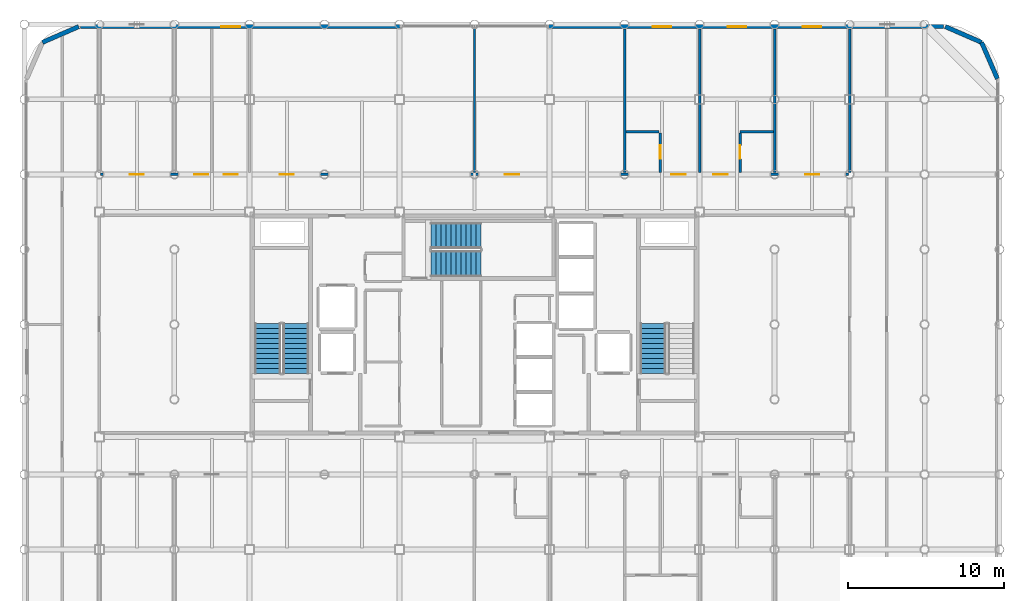
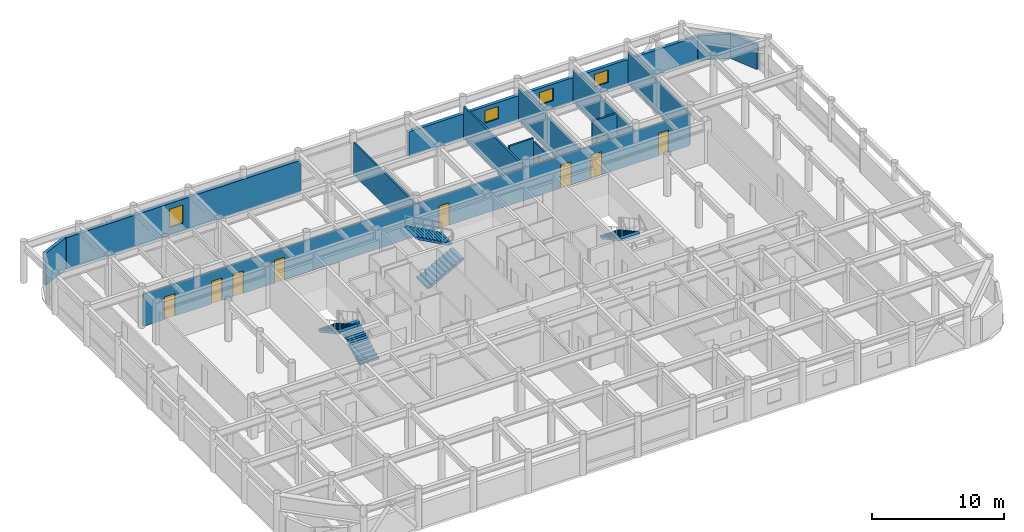
# One storey, part 20 of 22: 15 walls, 10 doors, 5 stair flights, 4 windows, 14 openings, 3 elements without a shape of their own.
"""IFC4 building model written with IfcOpenShell, lengths in metres."""

from ifc_helpers import new_model, si_unit, direction, frame, frame_2d, origin, place, context, subcontext, project, spatial, polyline, rectangle, outline, extrude, material, layer, layer_set, type_object, element, fill, aggregate, save


model = new_model("IFC4")

# Units and contexts
model_context = context("Model", 3, precision=1e-05, world=origin(), true_north=direction((0.0, 1.0)))
body_context = subcontext(model_context, "Body", "Model", "MODEL_VIEW")
ifc_project = project(units=[si_unit("LENGTHUNIT", "METRE"), si_unit("AREAUNIT", "SQUARE_METRE"), si_unit("VOLUMEUNIT", "CUBIC_METRE"), si_unit("PLANEANGLEUNIT", "RADIAN"), si_unit("MASSUNIT", "GRAM", prefix="KILO")], contexts=[model_context])

# Site, building, storey
site_placement = place(None, origin())
site = spatial("IfcSite", under=ifc_project, at=site_placement, CompositionType="ELEMENT")
building_placement = place(site_placement, origin())
building = spatial("IfcBuilding", under=site, at=building_placement, Name="Kallvorn Hotel Tower", CompositionType="ELEMENT")
storey_placement = place(building_placement, frame((0.0, 0.0, 206.89990234375)))
storey = spatial("IfcBuildingStorey", under=building, at=storey_placement, Name="L51", CompositionType="ELEMENT", Elevation=206.89990234375)

# Wall, openings, doors
ifc_material_1 = material(Name="Fire-rated double-layer acoustic gypsum drywall EI 60")
ifc_layer_1 = layer(ifc_material_1, 0.159912109375)
ifc_layer_set_1 = layer_set([ifc_layer_1], Name="WL_DEMISE_160")
wall_type_1 = type_object("IfcWallType", Name="WL_DEMISE_160", PredefinedType="PARTITIONING", material=ifc_layer_set_1)
wall_1_placement = place(storey_placement, frame((-23.919921875, 9.60009765625, 0.0), z_axis=(0.0, 0.0, 1.0), x_axis=(1.0, 0.0, 0.0)))
wall_1 = element("IfcWall", 1, at=wall_1_placement, inside=storey, type_object=wall_type_1, Name="L51 Suite 5104 Standard King Room Partition", PredefinedType="PARTITIONING", context=body_context, shape_type="SweptSolid", body=[
    extrude(rectangle(XDim=47.83984375, YDim=0.159912109375, at=frame_2d((23.919921875, 0.0))), origin(), (0.0, 0.0, 1.0), 2.97021484375),
])
opening_1_placement = place(wall_1_placement, frame((1.8701171875, 0.0, 0.0)))
opening_1 = element("IfcOpeningElement", 2, at=opening_1_placement, cuts=wall_1, Name="Opening SVD1", PredefinedType="OPENING", context=body_context, shape_type="SweptSolid", body=[
    extrude(rectangle(XDim=0.89990234375, YDim=2.10009765625, at=frame_2d((0.449951171875, 1.050048828125))), frame((0.0, 0.094970703125, 0.0), z_axis=(0.0, -1.0, 0.0), x_axis=(1.0, 0.0, 0.0)), (0.0, 0.0, 1.0), 0.18994140625),
])
opening_2_placement = place(wall_1_placement, frame((45.070068359375, 0.0, 0.0)))
opening_2 = element("IfcOpeningElement", 3, at=opening_2_placement, cuts=wall_1, Name="Opening SVD1", PredefinedType="OPENING", context=body_context, shape_type="SweptSolid", body=[
    extrude(rectangle(XDim=0.89990234375, YDim=2.10009765625, at=frame_2d((0.449951171875, 1.050048828125))), frame((0.0, 0.094970703125, 0.0), z_axis=(0.0, -1.0, 0.0), x_axis=(1.0, 0.0, 0.0)), (0.0, 0.0, 1.0), 0.18994140625),
])
opening_3_placement = place(wall_1_placement, frame((5.97998046875, 0.0, 0.0)))
opening_3 = element("IfcOpeningElement", 4, at=opening_3_placement, cuts=wall_1, Name="Opening SVD1", PredefinedType="OPENING", context=body_context, shape_type="SweptSolid", body=[
    extrude(rectangle(XDim=0.89990234375, YDim=2.10009765625, at=frame_2d((0.449951171875, 1.050048828125))), frame((0.0, 0.094970703125, 0.0), z_axis=(0.0, -1.0, 0.0), x_axis=(1.0, 0.0, 0.0)), (0.0, 0.0, 1.0), 0.18994140625),
])
opening_4_placement = place(wall_1_placement, frame((7.8701171875, 0.0, 0.0)))
opening_4 = element("IfcOpeningElement", 5, at=opening_4_placement, cuts=wall_1, Name="Opening SVD1", PredefinedType="OPENING", context=body_context, shape_type="SweptSolid", body=[
    extrude(rectangle(XDim=0.89990234375, YDim=2.10009765625, at=frame_2d((0.449951171875, 1.050048828125))), frame((0.0, 0.094970703125, 0.0), z_axis=(0.0, -1.0, 0.0), x_axis=(1.0, 0.0, 0.0)), (0.0, 0.0, 1.0), 0.18994140625),
])
opening_5_placement = place(wall_1_placement, frame((11.469970703125, 0.0, 0.0)))
opening_5 = element("IfcOpeningElement", 6, at=opening_5_placement, cuts=wall_1, Name="Opening SVD1", PredefinedType="OPENING", context=body_context, shape_type="SweptSolid", body=[
    extrude(rectangle(XDim=0.89990234375, YDim=2.10009765625, at=frame_2d((0.449951171875, 1.050048828125))), frame((0.0, 0.094970703125, 0.0), z_axis=(0.0, -1.0, 0.0), x_axis=(1.0, 0.0, 0.0)), (0.0, 0.0, 1.0), 0.18994140625),
])
opening_6_placement = place(wall_1_placement, frame((25.8701171875, 0.0, 0.0)))
opening_6 = element("IfcOpeningElement", 7, at=opening_6_placement, cuts=wall_1, Name="Opening SVD1", PredefinedType="OPENING", context=body_context, shape_type="SweptSolid", body=[
    extrude(rectangle(XDim=0.89990234375, YDim=2.10009765625, at=frame_2d((0.449951171875, 1.050048828125))), frame((0.0, 0.094970703125, 0.0), z_axis=(0.0, -1.0, 0.0), x_axis=(1.0, 0.0, 0.0)), (0.0, 0.0, 1.0), 0.18994140625),
])
opening_7_placement = place(wall_1_placement, frame((36.52490234375, 0.0, 0.0)))
opening_7 = element("IfcOpeningElement", 8, at=opening_7_placement, cuts=wall_1, Name="Opening GD1", PredefinedType="OPENING", context=body_context, shape_type="SweptSolid", body=[
    extrude(rectangle(XDim=0.919921875, YDim=2.14990234375, at=frame_2d((0.4599609375, 1.074951171875))), frame((0.0, 0.094970703125, 0.0), z_axis=(0.0, -1.0, 0.0), x_axis=(1.0, 0.0, 0.0)), (0.0, 0.0, 1.0), 0.18994140625),
])
opening_8_placement = place(wall_1_placement, frame((39.195068359375, 0.0, 0.0)))
opening_8 = element("IfcOpeningElement", 9, at=opening_8_placement, cuts=wall_1, Name="Opening GD1", PredefinedType="OPENING", context=body_context, shape_type="SweptSolid", body=[
    extrude(rectangle(XDim=0.919921875, YDim=2.14990234375, at=frame_2d((0.4599609375, 1.074951171875))), frame((0.0, 0.094970703125, 0.0), z_axis=(0.0, -1.0, 0.0), x_axis=(1.0, 0.0, 0.0)), (0.0, 0.0, 1.0), 0.18994140625),
])
ifc_material_2 = material(Name="Solid-core walnut veneer fire-rated timber door leaf", Category="wood")
door_type_1 = type_object("IfcDoorType", Name="DR_GUEST_920x2150", OperationType="NOTDEFINED", PredefinedType="DOOR", material=ifc_material_2)
door_1_placement = place(opening_7_placement, origin())
door_1 = element("IfcDoor", 10, at=door_1_placement, inside=storey, type_object=door_type_1, Name="L51 Suite 5104 Standard King Room Door", OperationType="SINGLE_SWING_RIGHT", OverallHeight=2.14990234375, OverallWidth=0.919921875, PredefinedType="DOOR", context=body_context, shape_type="SweptSolid", body=[
    extrude(rectangle(XDim=0.919921875, YDim=2.14990234375, at=frame_2d((0.4599609375, 1.074951171875))), frame((0.0, 0.02490234375, 0.0), z_axis=(0.0, -1.0, 0.0), x_axis=(1.0, 0.0, 0.0)), (0.0, 0.0, 1.0), 0.050048828125),
])
fill(opening_7, door_1)
door_2_placement = place(opening_8_placement, origin())
door_2 = element("IfcDoor", 11, at=door_2_placement, inside=storey, type_object=door_type_1, Name="L51 Suite 5105 Standard King Room Door", OperationType="SINGLE_SWING_LEFT", OverallHeight=2.14990234375, OverallWidth=0.919921875, PredefinedType="DOOR", context=body_context, shape_type="SweptSolid", body=[
    extrude(rectangle(XDim=0.919921875, YDim=2.14990234375, at=frame_2d((0.4599609375, 1.074951171875))), frame((0.0, 0.02490234375, 0.0), z_axis=(0.0, -1.0, 0.0), x_axis=(1.0, 0.0, 0.0)), (0.0, 0.0, 1.0), 0.050048828125),
])
fill(opening_8, door_2)
ifc_material_3 = material(Name="Galvanised painted steel fire-rated door assembly", Category="steel")
door_type_2 = type_object("IfcDoorType", Name="DR_SERV_900x2100", OperationType="NOTDEFINED", PredefinedType="DOOR", material=ifc_material_3)
door_3_placement = place(opening_1_placement, origin())
door_3 = element("IfcDoor", 12, at=door_3_placement, inside=storey, type_object=door_type_2, Name="L51 L51 High-Zone North-West Reading Salon Door", OperationType="SINGLE_SWING_LEFT", OverallHeight=2.10009765625, OverallWidth=0.89990234375, PredefinedType="DOOR", context=body_context, shape_type="SweptSolid", body=[
    extrude(rectangle(XDim=0.89990234375, YDim=2.10009765625, at=frame_2d((0.449951171875, 1.050048828125))), frame((0.0, 0.02490234375, 0.0), z_axis=(0.0, -1.0, 0.0), x_axis=(1.0, 0.0, 0.0)), (0.0, 0.0, 1.0), 0.050048828125),
])
fill(opening_1, door_3)
door_4_placement = place(opening_2_placement, origin())
door_4 = element("IfcDoor", 13, at=door_4_placement, inside=storey, type_object=door_type_2, Name="L51 L51 High-Zone North-East Pastry Bar Door", OperationType="SINGLE_SWING_LEFT", OverallHeight=2.10009765625, OverallWidth=0.89990234375, PredefinedType="DOOR", context=body_context, shape_type="SweptSolid", body=[
    extrude(rectangle(XDim=0.89990234375, YDim=2.10009765625, at=frame_2d((0.449951171875, 1.050048828125))), frame((0.0, 0.02490234375, 0.0), z_axis=(0.0, -1.0, 0.0), x_axis=(1.0, 0.0, 0.0)), (0.0, 0.0, 1.0), 0.050048828125),
])
fill(opening_2, door_4)
door_5_placement = place(opening_3_placement, origin())
door_5 = element("IfcDoor", 14, at=door_5_placement, inside=storey, type_object=door_type_2, Name="L51 Housekeeping and Linen Room Door", OperationType="SINGLE_SWING_RIGHT", OverallHeight=2.10009765625, OverallWidth=0.89990234375, PredefinedType="DOOR", context=body_context, shape_type="SweptSolid", body=[
    extrude(rectangle(XDim=0.89990234375, YDim=2.10009765625, at=frame_2d((0.449951171875, 1.050048828125))), frame((0.0, 0.02490234375, 0.0), z_axis=(0.0, -1.0, 0.0), x_axis=(1.0, 0.0, 0.0)), (0.0, 0.0, 1.0), 0.050048828125),
])
fill(opening_3, door_5)
door_6_placement = place(opening_4_placement, origin())
door_6 = element("IfcDoor", 15, at=door_6_placement, inside=storey, type_object=door_type_2, Name="L51 Guest Tea and Refreshment Bar Door", OperationType="SINGLE_SWING_RIGHT", OverallHeight=2.10009765625, OverallWidth=0.89990234375, PredefinedType="DOOR", context=body_context, shape_type="SweptSolid", body=[
    extrude(rectangle(XDim=0.89990234375, YDim=2.10009765625, at=frame_2d((0.449951171875, 1.050048828125))), frame((0.0, 0.02490234375, 0.0), z_axis=(0.0, -1.0, 0.0), x_axis=(1.0, 0.0, 0.0)), (0.0, 0.0, 1.0), 0.050048828125),
])
fill(opening_4, door_6)
door_7_placement = place(opening_5_placement, origin())
door_7 = element("IfcDoor", 16, at=door_7_placement, inside=storey, type_object=door_type_2, Name="L51 L51 Andean Tasting Sky Restaurant 2 Door", OperationType="SINGLE_SWING_LEFT", OverallHeight=2.10009765625, OverallWidth=0.89990234375, PredefinedType="DOOR", context=body_context, shape_type="SweptSolid", body=[
    extrude(rectangle(XDim=0.89990234375, YDim=2.10009765625, at=frame_2d((0.449951171875, 1.050048828125))), frame((0.0, 0.02490234375, 0.0), z_axis=(0.0, -1.0, 0.0), x_axis=(1.0, 0.0, 0.0)), (0.0, 0.0, 1.0), 0.050048828125),
])
fill(opening_5, door_7)
door_8_placement = place(opening_6_placement, origin())
door_8 = element("IfcDoor", 17, at=door_8_placement, inside=storey, type_object=door_type_2, Name="L51 L51 Curated Emerald Craft Retail Boutique 3 Door", OperationType="SINGLE_SWING_LEFT", OverallHeight=2.10009765625, OverallWidth=0.89990234375, PredefinedType="DOOR", context=body_context, shape_type="SweptSolid", body=[
    extrude(rectangle(XDim=0.89990234375, YDim=2.10009765625, at=frame_2d((0.449951171875, 1.050048828125))), frame((0.0, 0.02490234375, 0.0), z_axis=(0.0, -1.0, 0.0), x_axis=(1.0, 0.0, 0.0)), (0.0, 0.0, 1.0), 0.050048828125),
])
fill(opening_6, door_8)

# Walls
wall_2_placement = place(storey_placement, frame((9.679931640625, 12.320068359375, 0.0), z_axis=(0.0, 0.0, 1.0), x_axis=(1.0, 0.0, 0.0)))
element("IfcWall", 18, at=wall_2_placement, inside=storey, type_object=wall_type_1, Name="L51 Suite 5104 Standard King Room Partition", PredefinedType="PARTITIONING", context=body_context, shape_type="SweptSolid", body=[
    extrude(rectangle(XDim=2.130126953125, YDim=0.159912109375, at=frame_2d((1.06494140625, 0.0))), origin(), (0.0, 0.0, 1.0), 3.27001953125),
])
wall_3_placement = place(storey_placement, frame((16.989990234375, 12.320068359375, 0.0), z_axis=(0.0, 0.0, 1.0), x_axis=(1.0, 0.0, 0.0)))
element("IfcWall", 19, at=wall_3_placement, inside=storey, type_object=wall_type_1, Name="L51 Suite 5105 Standard King Room Partition", PredefinedType="PARTITIONING", context=body_context, shape_type="SweptSolid", body=[
    extrude(rectangle(XDim=2.130126953125, YDim=0.159912109375, at=frame_2d((1.06494140625, 0.0))), origin(), (0.0, 0.0, 1.0), 3.02001953125),
])
wall_4_placement = place(storey_placement, frame((9.60009765625, 9.719970703125, 0.0), z_axis=(0.0, 0.0, 1.0), x_axis=(0.0, 1.0, 0.0)))
element("IfcWall", 20, at=wall_4_placement, inside=storey, type_object=wall_type_1, Name="L51 Suite 5104 Standard King Room Partition", PredefinedType="PARTITIONING", context=body_context, shape_type="SweptSolid", body=[
    extrude(rectangle(XDim=9.18994140625, YDim=0.159912109375, at=frame_2d((4.594970703125, 0.0))), origin(), (0.0, 0.0, 1.0), 2.97021484375),
])

# Wall, opening, door
wall_5_placement = place(storey_placement, frame((11.885009765625, 9.719970703125, 0.0), z_axis=(0.0, 0.0, 1.0), x_axis=(0.0, 1.0, 0.0)))
wall_5 = element("IfcWall", 21, at=wall_5_placement, inside=storey, type_object=wall_type_1, Name="L51 Suite 5104 Standard King Room Partition", PredefinedType="PARTITIONING", context=body_context, shape_type="SweptSolid", body=[
    extrude(rectangle(XDim=2.51513671875, YDim=0.159912109375, at=frame_2d((1.257568359375, 0.0))), origin(), (0.0, 0.0, 1.0), 2.97021484375),
])
opening_9_placement = place(wall_5_placement, frame((0.8701171875, 0.0, 0.0)))
opening_9 = element("IfcOpeningElement", 22, at=opening_9_placement, cuts=wall_5, Name="Opening BD-I", PredefinedType="OPENING", context=body_context, shape_type="SweptSolid", body=[
    extrude(rectangle(XDim=0.860107421875, YDim=2.10009765625, at=frame_2d((0.43017578125, 1.050048828125))), frame((0.0, 0.094970703125, 0.0), z_axis=(0.0, -1.0, 0.0), x_axis=(1.0, 0.0, 0.0)), (0.0, 0.0, 1.0), 0.18994140625),
])
ifc_material_4 = material(Name="Solid-core walnut veneer fire-rated timber door leaf", Category="wood")
door_type_3 = type_object("IfcDoorType", Name="DR_BATH_860x2100", OperationType="NOTDEFINED", PredefinedType="DOOR", material=ifc_material_4)
door_9_placement = place(opening_9_placement, origin())
door_9 = element("IfcDoor", 23, at=door_9_placement, inside=storey, type_object=door_type_3, Name="L51 Suite 5104 En-Suite Bathroom Door", OperationType="SINGLE_SWING_RIGHT", OverallHeight=2.10009765625, OverallWidth=0.860107421875, PredefinedType="DOOR", context=body_context, shape_type="SweptSolid", body=[
    extrude(rectangle(XDim=0.860107421875, YDim=2.10009765625, at=frame_2d((0.43017578125, 1.050048828125))), frame((0.0, 0.02490234375, 0.0), z_axis=(0.0, -1.0, 0.0), x_axis=(1.0, 0.0, 0.0)), (0.0, 0.0, 1.0), 0.050048828125),
])
fill(opening_9, door_9)

# Wall
wall_6_placement = place(storey_placement, frame((14.39990234375, 9.719970703125, 0.0), z_axis=(0.0, 0.0, 1.0), x_axis=(0.0, 1.0, 0.0)))
element("IfcWall", 24, at=wall_6_placement, inside=storey, type_object=wall_type_1, Name="L51 Suite 5104 Standard King Room Partition", PredefinedType="PARTITIONING", context=body_context, shape_type="SweptSolid", body=[
    extrude(rectangle(XDim=9.18994140625, YDim=0.159912109375, at=frame_2d((4.594970703125, 0.0))), origin(), (0.0, 0.0, 1.0), 2.97021484375),
])

# Wall, opening, door
wall_7_placement = place(storey_placement, frame((16.989990234375, 9.719970703125, 0.0), z_axis=(0.0, 0.0, 1.0), x_axis=(0.0, 1.0, 0.0)))
wall_7 = element("IfcWall", 25, at=wall_7_placement, inside=storey, type_object=wall_type_1, Name="L51 Suite 5105 Standard King Room Partition", PredefinedType="PARTITIONING", context=body_context, shape_type="SweptSolid", body=[
    extrude(rectangle(XDim=2.51513671875, YDim=0.159912109375, at=frame_2d((1.257568359375, 0.0))), origin(), (0.0, 0.0, 1.0), 2.97021484375),
])
opening_10_placement = place(wall_7_placement, frame((0.8701171875, 0.0, 0.0)))
opening_10 = element("IfcOpeningElement", 26, at=opening_10_placement, cuts=wall_7, Name="Opening BD-I", PredefinedType="OPENING", context=body_context, shape_type="SweptSolid", body=[
    extrude(rectangle(XDim=0.860107421875, YDim=2.10009765625, at=frame_2d((0.43017578125, 1.050048828125))), frame((0.0, 0.094970703125, 0.0), z_axis=(0.0, -1.0, 0.0), x_axis=(1.0, 0.0, 0.0)), (0.0, 0.0, 1.0), 0.18994140625),
])
door_10_placement = place(opening_10_placement, origin())
door_10 = element("IfcDoor", 27, at=door_10_placement, inside=storey, type_object=door_type_3, Name="L51 Suite 5105 En-Suite Bathroom Door", OperationType="SINGLE_SWING_RIGHT", OverallHeight=2.10009765625, OverallWidth=0.860107421875, PredefinedType="DOOR", context=body_context, shape_type="SweptSolid", body=[
    extrude(rectangle(XDim=0.860107421875, YDim=2.10009765625, at=frame_2d((0.43017578125, 1.050048828125))), frame((0.0, 0.02490234375, 0.0), z_axis=(0.0, -1.0, 0.0), x_axis=(1.0, 0.0, 0.0)), (0.0, 0.0, 1.0), 0.050048828125),
])
fill(opening_10, door_10)

# Walls
wall_8_placement = place(storey_placement, frame((19.199951171875, 9.719970703125, 0.0), z_axis=(0.0, 0.0, 1.0), x_axis=(0.0, 1.0, 0.0)))
element("IfcWall", 28, at=wall_8_placement, inside=storey, type_object=wall_type_1, Name="L51 Suite 5105 Standard King Room Partition", PredefinedType="PARTITIONING", context=body_context, shape_type="SweptSolid", body=[
    extrude(rectangle(XDim=9.18994140625, YDim=0.159912109375, at=frame_2d((4.594970703125, 0.0))), origin(), (0.0, 0.0, 1.0), 2.97021484375),
])
ifc_material_5 = material(Name="Precast basalt-clad insulated concrete wall C40/50", Category="masonry")
ifc_layer_2 = layer(ifc_material_5, 0.280029296875)
ifc_layer_set_2 = layer_set([ifc_layer_2], Name="WL_EXT_LOGGIA_280")
wall_type_2 = type_object("IfcWallType", Name="WL_EXT_LOGGIA_280", PredefinedType="SOLIDWALL", material=ifc_layer_set_2)
wall_9_placement = place(storey_placement, frame((33.4580078125, 15.720703125, 0.0), z_axis=(0.0, 0.0, 1.0), x_axis=(-0.398792985289, 0.917040977756, 0.0)))
element("IfcWall", 29, at=wall_9_placement, inside=storey, type_object=wall_type_2, Name="L51 Rounded Corner Exterior Wall NE1", PredefinedType="SOLIDWALL", context=body_context, shape_type="SweptSolid", body=[
    extrude(rectangle(XDim=2.536376953125, YDim=0.280029296875, at=frame_2d((1.26806640625, 0.0))), origin(), (0.0, 0.0, 1.0), 2.27001953125),
])
wall_10_placement = place(storey_placement, frame((32.446533203125, 18.046630859375, 0.0), z_axis=(0.0, 0.0, 1.0), x_axis=(-0.917060872934, 0.398747232384, 0.0)))
element("IfcWall", 30, at=wall_10_placement, inside=storey, type_object=wall_type_2, Name="L51 Rounded Corner Exterior Wall NE2", PredefinedType="SOLIDWALL", context=body_context, shape_type="SweptSolid", body=[
    extrude(rectangle(XDim=2.5361328125, YDim=0.280029296875, at=frame_2d((1.26806640625, 0.0))), origin(), (0.0, 0.0, 1.0), 2.27001953125),
])
wall_11_placement = place(storey_placement, frame((-25.32080078125, 19.057861328125, 0.0), z_axis=(0.0, 0.0, 1.0), x_axis=(-0.917060872934, -0.398747232384, 0.0)))
element("IfcWall", 31, at=wall_11_placement, inside=storey, type_object=wall_type_2, Name="L51 Rounded Corner Exterior Wall NW1", PredefinedType="SOLIDWALL", context=body_context, shape_type="SweptSolid", body=[
    extrude(rectangle(XDim=2.5361328125, YDim=0.280029296875, at=frame_2d((1.26806640625, 0.0))), origin(), (0.0, 0.0, 1.0), 2.97021484375),
])

# Wall, opening, window
wall_12_placement = place(storey_placement, frame((-25.199951171875, 19.06005859375, 0.0), z_axis=(0.0, 0.0, 1.0), x_axis=(1.0, 0.0, 0.0)))
wall_12 = element("IfcWall", 32, at=wall_12_placement, inside=storey, type_object=wall_type_2, Name="L51 Exterior Envelope Wall EW-L51-NW", PredefinedType="SOLIDWALL", context=body_context, shape_type="SweptSolid", body=[
    extrude(rectangle(XDim=20.449951171875, YDim=0.280029296875, at=frame_2d((10.22509765625, 0.0))), origin(), (0.0, 0.0, 1.0), 2.97021484375),
])
opening_11_placement = place(wall_12_placement, frame((9.0, 0.0, 0.75)))
opening_11 = element("IfcOpeningElement", 33, at=opening_11_placement, cuts=wall_12, Name="Opening W06", PredefinedType="OPENING", context=body_context, shape_type="SweptSolid", body=[
    extrude(rectangle(XDim=1.199951171875, YDim=1.699951171875, at=frame_2d((0.60009765625, 0.85009765625))), frame((0.0, 0.155029296875, 0.0), z_axis=(0.0, -1.0, 0.0), x_axis=(1.0, 0.0, 0.0)), (0.0, 0.0, 1.0), 0.31005859375),
])
ifc_material_6 = material(Name="Triple-glazed low-e acoustic solar-control dark glass", Category="glass")
window_type_1 = type_object("IfcWindowType", Name="WN_HTL_1200x1700", PartitioningType="SINGLE_PANEL", PredefinedType="WINDOW", material=ifc_material_6)
window_1_placement = place(opening_11_placement, origin())
window_1 = element("IfcWindow", 34, at=window_1_placement, inside=storey, type_object=window_type_1, Name="L51 Guestroom Exterior Window 07", OverallHeight=1.699951171875, OverallWidth=1.199951171875, PartitioningType="SINGLE_PANEL", PredefinedType="WINDOW", context=body_context, shape_type="SweptSolid", body=[
    extrude(rectangle(XDim=1.199951171875, YDim=1.699951171875, at=frame_2d((0.60009765625, 0.85009765625))), frame((0.0, 0.030029296875, 0.0), z_axis=(0.0, -1.0, 0.0), x_axis=(1.0, 0.0, 0.0)), (0.0, 0.0, 1.0), 0.06005859375),
])
fill(opening_11, window_1)

# Wall, openings, windows
wall_13_placement = place(storey_placement, frame((4.75, 19.06005859375, 0.0), z_axis=(0.0, 0.0, 1.0), x_axis=(1.0, 0.0, 0.0)))
wall_13 = element("IfcWall", 35, at=wall_13_placement, inside=storey, type_object=wall_type_2, Name="L51 Exterior Envelope Wall EW-L51-NE", PredefinedType="SOLIDWALL", context=body_context, shape_type="SweptSolid", body=[
    extrude(rectangle(XDim=25.25, YDim=0.280029296875, at=frame_2d((12.625, 0.0))), origin(), (0.0, 0.0, 1.0), 2.27001953125),
])
opening_12_placement = place(wall_13_placement, frame((16.25, 0.0, 0.75)))
opening_12 = element("IfcOpeningElement", 36, at=opening_12_placement, cuts=wall_13, Name="Opening W06A", PredefinedType="OPENING", context=body_context, shape_type="SweptSolid", body=[
    extrude(rectangle(XDim=1.199951171875, YDim=1.14990234375, at=frame_2d((0.60009765625, 0.574951171875))), frame((0.0, 0.155029296875, 0.0), z_axis=(0.0, -1.0, 0.0), x_axis=(1.0, 0.0, 0.0)), (0.0, 0.0, 1.0), 0.31005859375),
])
opening_13_placement = place(wall_13_placement, frame((6.64990234375, 0.0, 0.75)))
opening_13 = element("IfcOpeningElement", 37, at=opening_13_placement, cuts=wall_13, Name="Opening W06A", PredefinedType="OPENING", context=body_context, shape_type="SweptSolid", body=[
    extrude(rectangle(XDim=1.199951171875, YDim=1.14990234375, at=frame_2d((0.60009765625, 0.574951171875))), frame((0.0, 0.155029296875, 0.0), z_axis=(0.0, -1.0, 0.0), x_axis=(1.0, 0.0, 0.0)), (0.0, 0.0, 1.0), 0.31005859375),
])
opening_14_placement = place(wall_13_placement, frame((11.449951171875, 0.0, 0.75)))
opening_14 = element("IfcOpeningElement", 38, at=opening_14_placement, cuts=wall_13, Name="Opening W06A", PredefinedType="OPENING", context=body_context, shape_type="SweptSolid", body=[
    extrude(rectangle(XDim=1.199951171875, YDim=1.14990234375, at=frame_2d((0.60009765625, 0.574951171875))), frame((0.0, 0.155029296875, 0.0), z_axis=(0.0, -1.0, 0.0), x_axis=(1.0, 0.0, 0.0)), (0.0, 0.0, 1.0), 0.31005859375),
])
ifc_material_7 = material(Name="Triple-glazed low-e acoustic solar-control dark glass", Category="glass")
window_type_2 = type_object("IfcWindowType", Name="WN_HTL_1200x1150", PartitioningType="SINGLE_PANEL", PredefinedType="WINDOW", material=ifc_material_7)
window_2_placement = place(opening_12_placement, origin())
window_2 = element("IfcWindow", 39, at=window_2_placement, inside=storey, type_object=window_type_2, Name="L51 Guestroom Exterior Window 02", OverallHeight=1.14990234375, OverallWidth=1.199951171875, PartitioningType="SINGLE_PANEL", PredefinedType="WINDOW", context=body_context, shape_type="SweptSolid", body=[
    extrude(rectangle(XDim=1.199951171875, YDim=1.14990234375, at=frame_2d((0.60009765625, 0.574951171875))), frame((0.0, 0.030029296875, 0.0), z_axis=(0.0, -1.0, 0.0), x_axis=(1.0, 0.0, 0.0)), (0.0, 0.0, 1.0), 0.06005859375),
])
fill(opening_12, window_2)
window_3_placement = place(opening_13_placement, origin())
window_3 = element("IfcWindow", 40, at=window_3_placement, inside=storey, type_object=window_type_2, Name="L51 Guestroom Exterior Window 08", OverallHeight=1.14990234375, OverallWidth=1.199951171875, PartitioningType="SINGLE_PANEL", PredefinedType="WINDOW", context=body_context, shape_type="SweptSolid", body=[
    extrude(rectangle(XDim=1.199951171875, YDim=1.14990234375, at=frame_2d((0.60009765625, 0.574951171875))), frame((0.0, 0.030029296875, 0.0), z_axis=(0.0, -1.0, 0.0), x_axis=(1.0, 0.0, 0.0)), (0.0, 0.0, 1.0), 0.06005859375),
])
fill(opening_13, window_3)
window_4_placement = place(opening_14_placement, origin())
window_4 = element("IfcWindow", 41, at=window_4_placement, inside=storey, type_object=window_type_2, Name="L51 Guestroom Exterior Window 09", OverallHeight=1.14990234375, OverallWidth=1.199951171875, PartitioningType="SINGLE_PANEL", PredefinedType="WINDOW", context=body_context, shape_type="SweptSolid", body=[
    extrude(rectangle(XDim=1.199951171875, YDim=1.14990234375, at=frame_2d((0.60009765625, 0.574951171875))), frame((0.0, 0.030029296875, 0.0), z_axis=(0.0, -1.0, 0.0), x_axis=(1.0, 0.0, 0.0)), (0.0, 0.0, 1.0), 0.06005859375),
])
fill(opening_14, window_4)

# Walls
ifc_material_8 = material(Name="Fire-rated double-layer acoustic gypsum drywall EI 60")
ifc_layer_3 = layer(ifc_material_8, 0.14990234375)
ifc_layer_set_3 = layer_set([ifc_layer_3], Name="WL_PART_150")
wall_type_3 = type_object("IfcWallType", Name="WL_PART_150", PredefinedType="PARTITIONING", material=ifc_layer_set_3)
wall_14_placement = place(storey_placement, frame((0.0, 9.719970703125, 0.0), z_axis=(0.0, 0.0, 1.0), x_axis=(0.0, 1.0, 0.0)))
element("IfcWall", 42, at=wall_14_placement, inside=storey, type_object=wall_type_3, Name="L51 L51 Andean Tasting Sky Restaurant 2 Partition", PredefinedType="PARTITIONING", context=body_context, shape_type="SweptSolid", body=[
    extrude(rectangle(XDim=9.275146484375, YDim=0.14990234375, at=frame_2d((4.6376953125, 0.0))), origin(), (0.0, 0.0, 1.0), 2.97021484375),
])
wall_15_placement = place(storey_placement, frame((24.0, 9.719970703125, 0.0), z_axis=(0.0, 0.0, 1.0), x_axis=(0.0, 1.0, 0.0)))
element("IfcWall", 43, at=wall_15_placement, inside=storey, type_object=wall_type_3, Name="L51 L51 High-Zone North-East Pastry Bar Partition", PredefinedType="PARTITIONING", context=body_context, shape_type="SweptSolid", body=[
    extrude(rectangle(XDim=9.18994140625, YDim=0.14990234375, at=frame_2d((4.594970703125, 0.0))), origin(), (0.0, 0.0, 1.0), 2.97021484375),
])

# Stair, stair flights
ifc_material_9 = material(Name="Precast concrete C40/50", Category="concrete")
stair_type = type_object("IfcStairType", Name="STR_CORE_DOGLEG", PredefinedType="HALF_TURN_STAIR", material=ifc_material_9)
stair_1_placement = place(storey_placement, origin())
stair_1 = element("IfcStair", 44, at=stair_1_placement, inside=storey, type_object=stair_type, Name="L51 Exit stair ST1", PredefinedType="HALF_TURN_STAIR")
ifc_material_10 = material(Name="Precast concrete C40/50", Category="concrete")
stair_flight_type = type_object("IfcStairFlightType", Name="FLT_CORE_1660", PredefinedType="STRAIGHT", material=ifc_material_10)
stair_flight_1_placement = place(storey_placement, frame((-11.429931640625, -3.139892578125, 0.0), z_axis=(0.0, 0.0, 1.0), x_axis=(0.0, 1.0, 0.0)))
stair_flight_1 = element("IfcStairFlight", 45, at=stair_flight_1_placement, type_object=stair_flight_type, Name="ST1 flight 1", NumberOfRisers=11, NumberOfTreads=10, PredefinedType="STRAIGHT", RiserHeight=0.175, TreadLength=0.32, context=body_context, shape_type="SweptSolid", body=[
    extrude(outline(polyline([(0.0, 0.0), (0.0, 0.175048828125), (0.320068359375, 0.175048828125), (0.320068359375, 0.35009765625), (0.639892578125, 0.35009765625), (0.639892578125, 0.52490234375), (0.9599609375, 0.52490234375), (0.9599609375, 0.699951171875), (1.280029296875, 0.699951171875), (1.280029296875, 0.875), (1.60009765625, 0.875), (1.60009765625, 1.050048828125), (1.919921875, 1.050048828125), (1.919921875, 1.22509765625), (2.239990234375, 1.22509765625), (2.239990234375, 1.39990234375), (2.56005859375, 1.39990234375), (2.56005859375, 1.574951171875), (2.8798828125, 1.574951171875), (2.8798828125, 1.75), (3.199951171875, 1.75), (3.199951171875, 1.925048828125), (3.199951171875, 1.5791015625), (0.3125, 0.0), (0.0, 0.0)])), frame((0.0, 0.830078125, 0.0), z_axis=(0.0, -1.0, 0.0), x_axis=(1.0, 0.0, 0.0)), (0.0, 0.0, 1.0), 1.659912109375),
])
stair_flight_2_placement = place(storey_placement, frame((-13.22998046875, 0.06005859375, 1.925048828125), z_axis=(0.0, 0.0, 1.0), x_axis=(0.0, -1.0, 0.0)))
stair_flight_2 = element("IfcStairFlight", 46, at=stair_flight_2_placement, type_object=stair_flight_type, Name="ST1 flight 2", NumberOfRisers=11, NumberOfTreads=10, PredefinedType="STRAIGHT", RiserHeight=0.175, TreadLength=0.32, context=body_context, shape_type="SweptSolid", body=[
    extrude(outline(polyline([(0.0, 0.0), (0.0, 0.175048828125), (0.320068359375, 0.175048828125), (0.320068359375, 0.35009765625), (0.639892578125, 0.35009765625), (0.639892578125, 0.52490234375), (0.9599609375, 0.52490234375), (0.9599609375, 0.699951171875), (1.280029296875, 0.699951171875), (1.280029296875, 0.875), (1.60009765625, 0.875), (1.60009765625, 1.050048828125), (1.919921875, 1.050048828125), (1.919921875, 1.22509765625), (2.239990234375, 1.22509765625), (2.239990234375, 1.39990234375), (2.56005859375, 1.39990234375), (2.56005859375, 1.574951171875), (2.8798828125, 1.574951171875), (2.8798828125, 1.75), (3.199951171875, 1.75), (3.199951171875, 1.925048828125), (3.199951171875, 1.5791015625), (0.3125, 0.0), (0.0, 0.0)])), frame((0.0, 0.830078125, 0.0), z_axis=(0.0, -1.0, 0.0), x_axis=(1.0, 0.0, 0.0)), (0.0, 0.0, 1.0), 1.659912109375),
])
aggregate(stair_1, [stair_flight_1, stair_flight_2])

# Stair, stair flight
stair_2_placement = place(storey_placement, origin())
stair_2 = element("IfcStair", 47, at=stair_2_placement, inside=storey, type_object=stair_type, Name="L51 Exit stair ST2", PredefinedType="HALF_TURN_STAIR")
stair_flight_3_placement = place(storey_placement, frame((11.429931640625, 0.06005859375, 1.925048828125), z_axis=(0.0, 0.0, 1.0), x_axis=(0.0, -1.0, 0.0)))
stair_flight_3 = element("IfcStairFlight", 48, at=stair_flight_3_placement, type_object=stair_flight_type, Name="ST2 flight 2", NumberOfRisers=11, NumberOfTreads=10, PredefinedType="STRAIGHT", RiserHeight=0.175, TreadLength=0.32, context=body_context, shape_type="SweptSolid", body=[
    extrude(outline(polyline([(0.0, 0.0), (0.0, 0.175048828125), (0.320068359375, 0.175048828125), (0.320068359375, 0.35009765625), (0.639892578125, 0.35009765625), (0.639892578125, 0.52490234375), (0.9599609375, 0.52490234375), (0.9599609375, 0.699951171875), (1.280029296875, 0.699951171875), (1.280029296875, 0.875), (1.60009765625, 0.875), (1.60009765625, 1.050048828125), (1.919921875, 1.050048828125), (1.919921875, 1.22509765625), (2.239990234375, 1.22509765625), (2.239990234375, 1.39990234375), (2.56005859375, 1.39990234375), (2.56005859375, 1.574951171875), (2.8798828125, 1.574951171875), (2.8798828125, 1.75), (3.199951171875, 1.75), (3.199951171875, 1.925048828125), (3.199951171875, 1.5791015625), (0.3125, 0.0), (0.0, 0.0)])), frame((0.0, 0.830078125, 0.0), z_axis=(0.0, -1.0, 0.0), x_axis=(1.0, 0.0, 0.0)), (0.0, 0.0, 1.0), 1.659912109375),
])
aggregate(stair_2, [stair_flight_3])

# Stair, stair flights
stair_3_placement = place(storey_placement, origin())
stair_3 = element("IfcStair", 49, at=stair_3_placement, inside=storey, type_object=stair_type, Name="L51 Exit stair ST3", PredefinedType="HALF_TURN_STAIR")
stair_flight_4_placement = place(storey_placement, frame((-2.7900390625, 3.8798828125, 0.0), z_axis=(0.0, 0.0, 1.0), x_axis=(1.0, 0.0, 0.0)))
stair_flight_4 = element("IfcStairFlight", 50, at=stair_flight_4_placement, type_object=stair_flight_type, Name="ST3 flight 1", NumberOfRisers=11, NumberOfTreads=10, PredefinedType="STRAIGHT", RiserHeight=0.175, TreadLength=0.32, context=body_context, shape_type="SweptSolid", body=[
    extrude(outline(polyline([(0.0, 0.0), (0.0, 0.175048828125), (0.320068359375, 0.175048828125), (0.320068359375, 0.35009765625), (0.639892578125, 0.35009765625), (0.639892578125, 0.52490234375), (0.9599609375, 0.52490234375), (0.9599609375, 0.699951171875), (1.280029296875, 0.699951171875), (1.280029296875, 0.875), (1.60009765625, 0.875), (1.60009765625, 1.050048828125), (1.919921875, 1.050048828125), (1.919921875, 1.22509765625), (2.239990234375, 1.22509765625), (2.239990234375, 1.39990234375), (2.56005859375, 1.39990234375), (2.56005859375, 1.574951171875), (2.8798828125, 1.574951171875), (2.8798828125, 1.75), (3.199951171875, 1.75), (3.199951171875, 1.925048828125), (3.199951171875, 1.5791015625), (0.3125, 0.0), (0.0, 0.0)])), frame((0.0, 0.830078125, 0.0), z_axis=(0.0, -1.0, 0.0), x_axis=(1.0, 0.0, 0.0)), (0.0, 0.0, 1.0), 1.659912109375),
])
stair_flight_5_placement = place(storey_placement, frame((0.409912109375, 5.679931640625, 1.925048828125), z_axis=(0.0, 0.0, 1.0), x_axis=(-1.0, 0.0, 0.0)))
stair_flight_5 = element("IfcStairFlight", 51, at=stair_flight_5_placement, type_object=stair_flight_type, Name="ST3 flight 2", NumberOfRisers=11, NumberOfTreads=10, PredefinedType="STRAIGHT", RiserHeight=0.175, TreadLength=0.32, context=body_context, shape_type="SweptSolid", body=[
    extrude(outline(polyline([(0.0, 0.0), (0.0, 0.175048828125), (0.320068359375, 0.175048828125), (0.320068359375, 0.35009765625), (0.639892578125, 0.35009765625), (0.639892578125, 0.52490234375), (0.9599609375, 0.52490234375), (0.9599609375, 0.699951171875), (1.280029296875, 0.699951171875), (1.280029296875, 0.875), (1.60009765625, 0.875), (1.60009765625, 1.050048828125), (1.919921875, 1.050048828125), (1.919921875, 1.22509765625), (2.239990234375, 1.22509765625), (2.239990234375, 1.39990234375), (2.56005859375, 1.39990234375), (2.56005859375, 1.574951171875), (2.8798828125, 1.574951171875), (2.8798828125, 1.75), (3.199951171875, 1.75), (3.199951171875, 1.925048828125), (3.199951171875, 1.5791015625), (0.3125, 0.0), (0.0, 0.0)])), frame((0.0, 0.830078125, 0.0), z_axis=(0.0, -1.0, 0.0), x_axis=(1.0, 0.0, 0.0)), (0.0, 0.0, 1.0), 1.659912109375),
])
aggregate(stair_3, [stair_flight_4, stair_flight_5])

save(model, "model.ifc")
